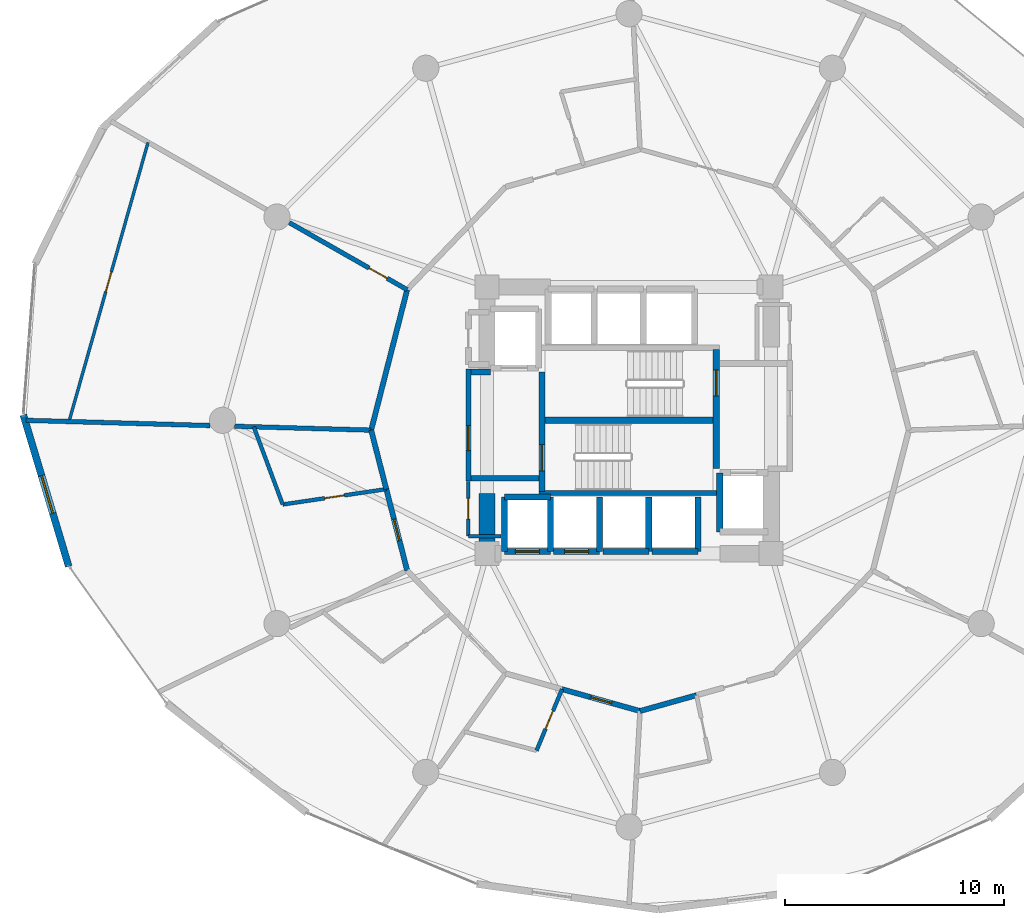
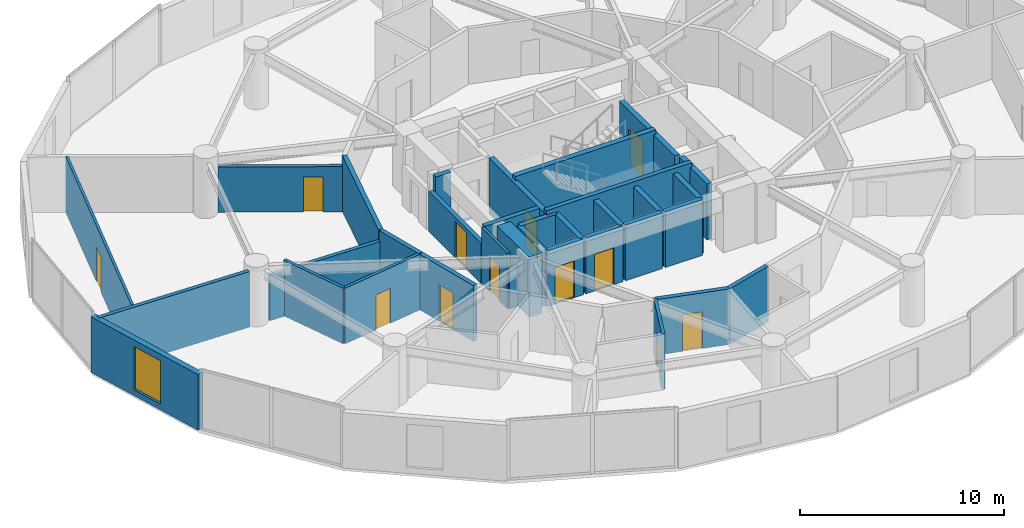
# One storey, part 19 of 25: 34 walls, 12 doors, 1 window, 13 openings.
"""IFC4 building model written with IfcOpenShell, lengths in metres."""

from ifc_helpers import new_model, si_unit, direction, frame, frame_2d, origin, place, context, subcontext, project, spatial, rectangle, extrude, material, layer, layer_set, type_object, element, fill, save


model = new_model("IFC4")

# Units and contexts
model_context = context("Model", 3, precision=1e-05, world=origin(), true_north=direction((0.0, 1.0)))
body_context = subcontext(model_context, "Body", "Model", "MODEL_VIEW")
ifc_project = project(units=[si_unit("LENGTHUNIT", "METRE"), si_unit("AREAUNIT", "SQUARE_METRE"), si_unit("VOLUMEUNIT", "CUBIC_METRE"), si_unit("PLANEANGLEUNIT", "RADIAN"), si_unit("MASSUNIT", "GRAM", prefix="KILO")], contexts=[model_context])

# Site, building, storey
site_placement = place(None, origin())
site = spatial("IfcSite", under=ifc_project, at=site_placement, CompositionType="ELEMENT")
building_placement = place(site_placement, origin())
building = spatial("IfcBuilding", under=site, at=building_placement, Name="Solvirekh Grand Hotel", CompositionType="ELEMENT")
storey_placement = place(building_placement, frame((0.0, 0.0, 60.800048828125)))
storey = spatial("IfcBuildingStorey", under=building, at=storey_placement, Name="L14", CompositionType="ELEMENT", Elevation=60.800048828125)

# Wall
ifc_material_1 = material(Name="Concrete C50/60", Category="concrete")
ifc_layer_1 = layer(ifc_material_1, 0.35009765625)
ifc_layer_set_1 = layer_set([ifc_layer_1], Name="Concrete C50/60")
wall_type_1 = type_object("IfcWallType", Name="CoreDivWall_RC350", PredefinedType="SOLIDWALL", material=ifc_layer_set_1)
wall_1_placement = place(storey_placement, frame((-4.1298828125, -3.324951171875, 0.0), z_axis=(0.0, 0.0, 1.0), x_axis=(1.0, 0.0, 0.0)))
element("IfcWall", 1, at=wall_1_placement, inside=storey, type_object=wall_type_1, Name="L14 core stair box wall ST-S", PredefinedType="SOLIDWALL", context=body_context, shape_type="SweptSolid", body=[
    extrude(rectangle(XDim=8.259765625, YDim=0.25, at=frame_2d((4.1298828125, 0.0))), origin(), (0.0, 0.0, 1.0), 3.599853515625),
])

# Wall, opening, door
ifc_material_2 = material(Name="Concrete C40/50", Category="concrete")
ifc_layer_2 = layer(ifc_material_2, 0.280029296875)
ifc_layer_set_2 = layer_set([ifc_layer_2], Name="Concrete C40/50")
wall_type_2 = type_object("IfcWallType", Name="CoreShaftWall_RC280", PredefinedType="SOLIDWALL", material=ifc_layer_set_2)
wall_2_placement = place(storey_placement, frame((-5.699951171875, -6.0, 0.0), z_axis=(0.0, 0.0, 1.0), x_axis=(1.0, 0.0, 0.0)))
wall_2 = element("IfcWall", 2, at=wall_2_placement, inside=storey, type_object=wall_type_2, Name="L14 LP-1 hoistway S wall", PredefinedType="SOLIDWALL", context=body_context, shape_type="SweptSolid", body=[
    extrude(rectangle(XDim=2.099853515625, YDim=0.280029296875, at=frame_2d((1.0498046875, 0.0))), origin(), (0.0, 0.0, 1.0), 3.33984375),
])
opening_1_placement = place(wall_2_placement, frame((0.5, 0.0, 0.0)))
opening_1 = element("IfcOpeningElement", 3, at=opening_1_placement, cuts=wall_2, Name="Opening LD01", PredefinedType="OPENING", context=body_context, shape_type="SweptSolid", body=[
    extrude(rectangle(XDim=1.10009765625, YDim=2.199951171875, at=frame_2d((0.550048828125, 1.10009765625))), frame((0.0, 0.14990234375, 0.0), z_axis=(0.0, -1.0, 0.0), x_axis=(1.0, 0.0, 0.0)), (0.0, 0.0, 1.0), 0.300048828125),
])
ifc_material_3 = material(Name="Fire-Rated Steel Door Assembly", Category="steel")
door_type_1 = type_object("IfcDoorType", Name="Door_LiftLanding_1100X2200", OperationType="SLIDING_TO_LEFT", PredefinedType="DOOR", material=ifc_material_3)
door_1_placement = place(opening_1_placement, origin())
door_1 = element("IfcDoor", 4, at=door_1_placement, inside=storey, type_object=door_type_1, Name="L14 LP-1 sliding lift landing door", OperationType="SLIDING_TO_LEFT", OverallHeight=2.199951171875, OverallWidth=1.10009765625, PredefinedType="DOOR", context=body_context, shape_type="SweptSolid", body=[
    extrude(rectangle(XDim=1.10009765625, YDim=2.199951171875, at=frame_2d((0.550048828125, 1.10009765625))), frame((0.0, 0.02490234375, 0.0), z_axis=(0.0, -1.0, 0.0), x_axis=(1.0, 0.0, 0.0)), (0.0, 0.0, 1.0), 0.050048828125),
])
fill(opening_1, door_1)

# Walls
wall_3_placement = place(storey_placement, frame((-3.60009765625, -3.5, 0.0), z_axis=(0.0, 0.0, 1.0), x_axis=(-1.0, 0.0, 0.0)))
element("IfcWall", 5, at=wall_3_placement, inside=storey, type_object=wall_type_2, Name="L14 LP-1 hoistway N wall", PredefinedType="SOLIDWALL", context=body_context, shape_type="SweptSolid", body=[
    extrude(rectangle(XDim=2.099853515625, YDim=0.280029296875, at=frame_2d((1.0498046875, 0.0))), origin(), (0.0, 0.0, 1.0), 3.33984375),
])
for number, where, z_axis, x_axis, name in (
    (6, (-5.699951171875, -3.5, 0.0), (0.0, 0.0, 1.0), (0.0, -1.0, 0.0), "L14 LP-1 hoistway W wall"),
    (7, (-3.60009765625, -6.0, 0.0), (0.0, 0.0, 1.0), (0.0, 1.0, 0.0), "L14 LP-1 hoistway E wall"),
):
    element("IfcWall", number, at=place(storey_placement, frame(where, z_axis=z_axis, x_axis=x_axis)), inside=storey, type_object=wall_type_2, Name=name, PredefinedType="SOLIDWALL", context=body_context, shape_type="SweptSolid", body=[
        extrude(rectangle(XDim=2.5, YDim=0.280029296875, at=frame_2d((1.25, 0.0))), origin(), (0.0, 0.0, 1.0), 3.33984375),
    ])

# Wall, opening, door
wall_4_placement = place(storey_placement, frame((-3.449951171875, -6.0, 0.0), z_axis=(0.0, 0.0, 1.0), x_axis=(1.0, 0.0, 0.0)))
wall_4 = element("IfcWall", 8, at=wall_4_placement, inside=storey, type_object=wall_type_2, Name="L14 LP-2 hoistway S wall", PredefinedType="SOLIDWALL", context=body_context, shape_type="SweptSolid", body=[
    extrude(rectangle(XDim=2.099853515625, YDim=0.280029296875, at=frame_2d((1.0498046875, 0.0))), origin(), (0.0, 0.0, 1.0), 3.33984375),
])
opening_2_placement = place(wall_4_placement, frame((0.5, 0.0, 0.0)))
opening_2 = element("IfcOpeningElement", 9, at=opening_2_placement, cuts=wall_4, Name="Opening LD01", PredefinedType="OPENING", context=body_context, shape_type="SweptSolid", body=[
    extrude(rectangle(XDim=1.10009765625, YDim=2.199951171875, at=frame_2d((0.550048828125, 1.10009765625))), frame((0.0, 0.14990234375, 0.0), z_axis=(0.0, -1.0, 0.0), x_axis=(1.0, 0.0, 0.0)), (0.0, 0.0, 1.0), 0.300048828125),
])
door_2_placement = place(opening_2_placement, origin())
door_2 = element("IfcDoor", 10, at=door_2_placement, inside=storey, type_object=door_type_1, Name="L14 LP-2 sliding lift landing door", OperationType="SLIDING_TO_LEFT", OverallHeight=2.199951171875, OverallWidth=1.10009765625, PredefinedType="DOOR", context=body_context, shape_type="SweptSolid", body=[
    extrude(rectangle(XDim=1.10009765625, YDim=2.199951171875, at=frame_2d((0.550048828125, 1.10009765625))), frame((0.0, 0.02490234375, 0.0), z_axis=(0.0, -1.0, 0.0), x_axis=(1.0, 0.0, 0.0)), (0.0, 0.0, 1.0), 0.050048828125),
])
fill(opening_2, door_2)

# Walls
wall_5_placement = place(storey_placement, frame((-1.35009765625, -6.0, 0.0), z_axis=(0.0, 0.0, 1.0), x_axis=(0.0, 1.0, 0.0)))
element("IfcWall", 11, at=wall_5_placement, inside=storey, type_object=wall_type_2, Name="L14 LP-2 hoistway E wall", PredefinedType="SOLIDWALL", context=body_context, shape_type="SweptSolid", body=[
    extrude(rectangle(XDim=2.5, YDim=0.280029296875, at=frame_2d((1.25, 0.0))), origin(), (0.0, 0.0, 1.0), 3.33984375),
])
wall_6_placement = place(storey_placement, frame((-1.199951171875, -6.0, 0.0), z_axis=(0.0, 0.0, 1.0), x_axis=(1.0, 0.0, 0.0)))
element("IfcWall", 12, at=wall_6_placement, inside=storey, type_object=wall_type_2, Name="L14 MP-1 hoistway S wall", PredefinedType="SOLIDWALL", context=body_context, shape_type="SweptSolid", body=[
    extrude(rectangle(XDim=2.099853515625, YDim=0.280029296875, at=frame_2d((1.0498046875, 0.0))), origin(), (0.0, 0.0, 1.0), 3.33984375),
])
wall_7_placement = place(storey_placement, frame((0.89990234375, -6.0, 0.0), z_axis=(0.0, 0.0, 1.0), x_axis=(0.0, 1.0, 0.0)))
element("IfcWall", 13, at=wall_7_placement, inside=storey, type_object=wall_type_2, Name="L14 MP-1 hoistway E wall", PredefinedType="SOLIDWALL", context=body_context, shape_type="SweptSolid", body=[
    extrude(rectangle(XDim=2.5, YDim=0.280029296875, at=frame_2d((1.25, 0.0))), origin(), (0.0, 0.0, 1.0), 3.33984375),
])
wall_8_placement = place(storey_placement, frame((1.050048828125, -6.0, 0.0), z_axis=(0.0, 0.0, 1.0), x_axis=(1.0, 0.0, 0.0)))
element("IfcWall", 14, at=wall_8_placement, inside=storey, type_object=wall_type_2, Name="L14 MP-2 hoistway S wall", PredefinedType="SOLIDWALL", context=body_context, shape_type="SweptSolid", body=[
    extrude(rectangle(XDim=2.099853515625, YDim=0.280029296875, at=frame_2d((1.0498046875, 0.0))), origin(), (0.0, 0.0, 1.0), 3.33984375),
])
wall_9_placement = place(storey_placement, frame((3.14990234375, -6.0, 0.0), z_axis=(0.0, 0.0, 1.0), x_axis=(0.0, 1.0, 0.0)))
element("IfcWall", 15, at=wall_9_placement, inside=storey, type_object=wall_type_2, Name="L14 MP-2 hoistway E wall", PredefinedType="SOLIDWALL", context=body_context, shape_type="SweptSolid", body=[
    extrude(rectangle(XDim=2.5, YDim=0.280029296875, at=frame_2d((1.25, 0.0))), origin(), (0.0, 0.0, 1.0), 3.33984375),
])
wall_10_placement = place(storey_placement, frame((4.14990234375, -2.39990234375, 0.0), z_axis=(0.0, 0.0, 1.0), x_axis=(0.0, -1.0, 0.0)))
element("IfcWall", 16, at=wall_10_placement, inside=storey, type_object=wall_type_2, Name="L14 FL-2 hoistway W wall", PredefinedType="SOLIDWALL", context=body_context, shape_type="SweptSolid", body=[
    extrude(rectangle(XDim=2.7001953125, YDim=0.280029296875, at=frame_2d((1.35009765625, 0.0))), origin(), (0.0, 0.0, 1.0), 3.33984375),
])

# Wall, opening, door
wall_11_placement = place(storey_placement, frame((-3.989990234375, -3.25, 0.0), z_axis=(0.0, 0.0, 1.0), x_axis=(0.0, 1.0, 0.0)))
wall_11 = element("IfcWall", 17, at=wall_11_placement, inside=storey, type_object=wall_type_2, Name="L14 west stair landing enclosure wall", PredefinedType="SOLIDWALL", context=body_context, shape_type="SweptSolid", body=[
    extrude(rectangle(XDim=5.4599609375, YDim=0.280029296875, at=frame_2d((2.72998046875, 0.0))), origin(), (0.0, 0.0, 1.0), 3.33984375),
])
opening_3_placement = place(wall_11_placement, frame((0.93701171875, 0.0, 0.0)))
opening_3 = element("IfcOpeningElement", 18, at=opening_3_placement, cuts=wall_11, Name="Opening D05", PredefinedType="OPENING", context=body_context, shape_type="SweptSolid", body=[
    extrude(rectangle(XDim=1.199951171875, YDim=2.199951171875, at=frame_2d((0.60009765625, 1.10009765625))), frame((0.0, 0.14990234375, 0.0), z_axis=(0.0, -1.0, 0.0), x_axis=(1.0, 0.0, 0.0)), (0.0, 0.0, 1.0), 0.300048828125),
])
door_type_2 = type_object("IfcDoorType", Name="Door_StairCore_1200X2200", OperationType="NOTDEFINED", PredefinedType="DOOR", material=ifc_material_3)
door_3_placement = place(opening_3_placement, origin())
door_3 = element("IfcDoor", 19, at=door_3_placement, inside=storey, type_object=door_type_2, Name="L14 exit stair ST-1 fire door", OperationType="SINGLE_SWING_RIGHT", OverallHeight=2.199951171875, OverallWidth=1.199951171875, PredefinedType="DOOR", context=body_context, shape_type="SweptSolid", body=[
    extrude(rectangle(XDim=1.199951171875, YDim=2.199951171875, at=frame_2d((0.60009765625, 1.10009765625))), frame((0.0, 0.02490234375, 0.0), z_axis=(0.0, -1.0, 0.0), x_axis=(1.0, 0.0, 0.0)), (0.0, 0.0, 1.0), 0.050048828125),
])
fill(opening_3, door_3)

wall_12_placement = place(storey_placement, frame((3.989990234375, -2.2099609375, 0.0), z_axis=(0.0, 0.0, 1.0), x_axis=(0.0, 1.0, 0.0)))
wall_12 = element("IfcWall", 20, at=wall_12_placement, inside=storey, type_object=wall_type_2, Name="L14 east stair landing enclosure wall", PredefinedType="SOLIDWALL", context=body_context, shape_type="SweptSolid", body=[
    extrude(rectangle(XDim=5.4599609375, YDim=0.280029296875, at=frame_2d((2.72998046875, 0.0))), origin(), (0.0, 0.0, 1.0), 3.33984375),
])
opening_4_placement = place(wall_12_placement, frame((3.322998046875, 0.0, 0.0)))
opening_4 = element("IfcOpeningElement", 21, at=opening_4_placement, cuts=wall_12, Name="Opening D05", PredefinedType="OPENING", context=body_context, shape_type="SweptSolid", body=[
    extrude(rectangle(XDim=1.199951171875, YDim=2.199951171875, at=frame_2d((0.60009765625, 1.10009765625))), frame((0.0, 0.14990234375, 0.0), z_axis=(0.0, -1.0, 0.0), x_axis=(1.0, 0.0, 0.0)), (0.0, 0.0, 1.0), 0.300048828125),
])
door_4_placement = place(opening_4_placement, origin())
door_4 = element("IfcDoor", 22, at=door_4_placement, inside=storey, type_object=door_type_2, Name="L14 exit stair ST-2 fire door", OperationType="SINGLE_SWING_LEFT", OverallHeight=2.199951171875, OverallWidth=1.199951171875, PredefinedType="DOOR", context=body_context, shape_type="SweptSolid", body=[
    extrude(rectangle(XDim=1.199951171875, YDim=2.199951171875, at=frame_2d((0.60009765625, 1.10009765625))), frame((0.0, 0.02490234375, 0.0), z_axis=(0.0, -1.0, 0.0), x_axis=(1.0, 0.0, 0.0)), (0.0, 0.0, 1.0), 0.050048828125),
])
fill(opening_4, door_4)

# Walls
ifc_material_4 = material(Name="Concrete C60/75", Category="concrete")
ifc_layer_3 = layer(ifc_material_4, 0.75)
ifc_layer_set_3 = layer_set([ifc_layer_3], Name="Concrete C60/75")
wall_type_3 = type_object("IfcWallType", Name="CoreWall_RC750", PredefinedType="SHEAR", material=ifc_layer_set_3)
wall_13_placement = place(storey_placement, frame((-3.989990234375, 0.0, 0.0), z_axis=(0.0, 0.0, 1.0), x_axis=(1.0, 0.0, 0.0)))
element("IfcWall", 23, at=wall_13_placement, inside=storey, type_object=wall_type_3, Name="L14 central stair-spine shear wall", PredefinedType="SHEAR", context=body_context, shape_type="SweptSolid", body=[
    extrude(rectangle(XDim=7.97998046875, YDim=0.300048828125, at=frame_2d((3.989990234375, 0.0))), origin(), (0.0, 0.0, 1.0), 3.599853515625),
])
wall_14_placement = place(storey_placement, frame((-6.5, -6.47509765625, 0.0), z_axis=(0.0, 0.0, 1.0), x_axis=(0.0, 1.0, 0.0)))
element("IfcWall", 24, at=wall_14_placement, inside=storey, type_object=wall_type_3, Name="L14 core corner shear wall WS-W", PredefinedType="SHEAR", context=body_context, shape_type="SweptSolid", body=[
    extrude(rectangle(XDim=3.125, YDim=0.75, at=frame_2d((1.5625, 0.0))), origin(), (0.0, 0.0, 1.0), 3.599853515625),
])

# Wall, opening, window
ifc_material_5 = material(Name="Precast concrete C45/55", Category="concrete")
ifc_layer_4 = layer(ifc_material_5, 0.320068359375)
ifc_layer_set_4 = layer_set([ifc_layer_4], Name="Precast concrete C45/55")
wall_type_4 = type_object("IfcWallType", Name="ExtLobbyWall_RC320", PredefinedType="SOLIDWALL", material=ifc_layer_set_4)
wall_15_placement = place(storey_placement, frame((-25.637939453125, -6.68310546875, 0.0), z_axis=(0.0, 0.0, 1.0), x_axis=(-0.286740873851, 0.958008179121, 0.0)))
wall_15 = element("IfcWall", 25, at=wall_15_placement, inside=storey, type_object=wall_type_4, Name="L14 exterior structural wall chord 12", PredefinedType="SOLIDWALL", context=body_context, shape_type="SweptSolid", body=[
    extrude(rectangle(XDim=7.23291015625, YDim=0.320068359375, at=frame_2d((3.616455078125, 0.0))), origin(), (0.0, 0.0, 1.0), 3.33984375),
])
opening_5_placement = place(wall_15_placement, frame((2.531982421875, 0.0, 0.35009765625)))
opening_5 = element("IfcOpeningElement", 26, at=opening_5_placement, cuts=wall_15, Name="Opening W02", PredefinedType="OPENING", context=body_context, shape_type="SweptSolid", body=[
    extrude(rectangle(XDim=1.800048828125, YDim=2.60009765625, at=frame_2d((0.89990234375, 1.300048828125))), frame((0.0, 0.169921875, 0.0), z_axis=(0.0, -1.0, 0.0), x_axis=(1.0, 0.0, 0.0)), (0.0, 0.0, 1.0), 0.340087890625),
])
ifc_material_6 = material(Name="Low-E Tinted Bronze Laminated Glass", Category="aluminium")
window_type = type_object("IfcWindowType", Name="Win_LobbyExt_1800X2600", PartitioningType="SINGLE_PANEL", PredefinedType="WINDOW", material=ifc_material_6)
window_placement = place(opening_5_placement, origin())
window = element("IfcWindow", 27, at=window_placement, inside=storey, type_object=window_type, Name="L14 panoramic bronze-framed window 12", OverallHeight=2.60009765625, OverallWidth=1.800048828125, PartitioningType="SINGLE_PANEL", PredefinedType="WINDOW", context=body_context, shape_type="SweptSolid", body=[
    extrude(rectangle(XDim=1.800048828125, YDim=2.60009765625, at=frame_2d((0.89990234375, 1.300048828125))), frame((0.0, 0.030029296875, 0.0), z_axis=(0.0, -1.0, 0.0), x_axis=(1.0, 0.0, 0.0)), (0.0, 0.0, 1.0), 0.06005859375),
])
fill(opening_5, window)

# Wall
ifc_material_7 = material(Name="Acoustic Gypsum Partition Assembly")
ifc_layer_5 = layer(ifc_material_7, 0.1650390625)
ifc_layer_set_5 = layer_set([ifc_layer_5], Name="Acoustic Gypsum Partition Assembly")
wall_type_5 = type_object("IfcWallType", Name="Part_BOH_165", PredefinedType="PARTITIONING", material=ifc_layer_set_5)
wall_16_placement = place(storey_placement, frame((-7.35009765625, -5.300048828125, 0.0), z_axis=(0.0, 0.0, 1.0), x_axis=(1.0, 0.0, 0.0)))
element("IfcWall", 28, at=wall_16_placement, inside=storey, type_object=wall_type_5, Name="L14 L14 Core Linen Store wall 1", PredefinedType="PARTITIONING", context=body_context, shape_type="SweptSolid", body=[
    extrude(rectangle(XDim=1.5, YDim=0.1650390625, at=frame_2d((0.75, 0.0))), origin(), (0.0, 0.0, 1.0), 2.425048828125),
])

# Wall, opening, door
wall_17_placement = place(storey_placement, frame((-7.35009765625, -2.800048828125, 0.0), z_axis=(0.0, 0.0, 1.0), x_axis=(0.0, -1.0, 0.0)))
wall_17 = element("IfcWall", 29, at=wall_17_placement, inside=storey, type_object=wall_type_5, Name="L14 L14 Core Linen Store wall 4", PredefinedType="PARTITIONING", context=body_context, shape_type="SweptSolid", body=[
    extrude(rectangle(XDim=2.5, YDim=0.1650390625, at=frame_2d((1.25, 0.0))), origin(), (0.0, 0.0, 1.0), 3.33984375),
])
opening_6_placement = place(wall_17_placement, frame((0.77490234375, 0.0, 0.0)))
opening_6 = element("IfcOpeningElement", 30, at=opening_6_placement, cuts=wall_17, Name="Opening D10", PredefinedType="OPENING", context=body_context, shape_type="SweptSolid", body=[
    extrude(rectangle(XDim=0.949951171875, YDim=2.10009765625, at=frame_2d((0.47509765625, 1.050048828125))), frame((0.0, 0.092529296875, 0.0), z_axis=(0.0, -1.0, 0.0), x_axis=(1.0, 0.0, 0.0)), (0.0, 0.0, 1.0), 0.18505859375),
])
ifc_material_8 = material(Name="Anodized Bronze Aluminium 6063-T6", Category="aluminium")
door_type_3 = type_object("IfcDoorType", Name="Door_RoomInt_950X2100", OperationType="NOTDEFINED", PredefinedType="DOOR", material=ifc_material_8)
door_5_placement = place(opening_6_placement, origin())
door_5 = element("IfcDoor", 31, at=door_5_placement, inside=storey, type_object=door_type_3, Name="L14 L14 Core Linen Store door", OperationType="SINGLE_SWING_LEFT", OverallHeight=2.10009765625, OverallWidth=0.949951171875, PredefinedType="DOOR", context=body_context, shape_type="SweptSolid", body=[
    extrude(rectangle(XDim=0.949951171875, YDim=2.10009765625, at=frame_2d((0.47509765625, 1.050048828125))), frame((0.0, 0.02490234375, 0.0), z_axis=(0.0, -1.0, 0.0), x_axis=(1.0, 0.0, 0.0)), (0.0, 0.0, 1.0), 0.050048828125),
])
fill(opening_6, door_5)

ifc_layer_6 = layer(ifc_material_7, 0.239990234375)
ifc_layer_set_6 = layer_set([ifc_layer_6], Name="Acoustic Gypsum Partition Assembly")
wall_type_6 = type_object("IfcWallType", Name="Part_Corridor_240", PredefinedType="PARTITIONING", material=ifc_layer_set_6)
wall_18_placement = place(storey_placement, frame((-7.35009765625, -2.780029296875, 0.0), z_axis=(0.0, 0.0, 1.0), x_axis=(0.0, 1.0, 0.0)))
wall_18 = element("IfcWall", 32, at=wall_18_placement, inside=storey, type_object=wall_type_6, Name="L14 west firefighting lobby smoke screen wall", PredefinedType="PARTITIONING", context=body_context, shape_type="SweptSolid", body=[
    extrude(rectangle(XDim=5.1201171875, YDim=0.239990234375, at=frame_2d((2.56005859375, 0.0))), origin(), (0.0, 0.0, 1.0), 2.425048828125),
])
opening_7_placement = place(wall_18_placement, frame((1.388916015625, 0.0, 0.0)))
opening_7 = element("IfcOpeningElement", 33, at=opening_7_placement, cuts=wall_18, Name="Opening D06", PredefinedType="OPENING", context=body_context, shape_type="SweptSolid", body=[
    extrude(rectangle(XDim=1.14990234375, YDim=2.199951171875, at=frame_2d((0.574951171875, 1.10009765625))), frame((0.0, 0.1298828125, 0.0), z_axis=(0.0, -1.0, 0.0), x_axis=(1.0, 0.0, 0.0)), (0.0, 0.0, 1.0), 0.260009765625),
])
door_type_4 = type_object("IfcDoorType", Name="Door_FFLobby_1150X2200", OperationType="NOTDEFINED", PredefinedType="DOOR", material=ifc_material_3)
door_6_placement = place(opening_7_placement, origin())
door_6 = element("IfcDoor", 34, at=door_6_placement, inside=storey, type_object=door_type_4, Name="L14 west firefighting lobby smoke door", OperationType="SINGLE_SWING_RIGHT", OverallHeight=2.199951171875, OverallWidth=1.14990234375, PredefinedType="DOOR", context=body_context, shape_type="SweptSolid", body=[
    extrude(rectangle(XDim=1.14990234375, YDim=2.199951171875, at=frame_2d((0.574951171875, 1.10009765625))), frame((0.0, 0.02490234375, 0.0), z_axis=(0.0, -1.0, 0.0), x_axis=(1.0, 0.0, 0.0)), (0.0, 0.0, 1.0), 0.050048828125),
])
fill(opening_7, door_6)

# Walls
wall_19_placement = place(storey_placement, frame((-10.152099609375, 5.97509765625, 0.0), z_axis=(0.0, 0.0, 1.0), x_axis=(-0.248446193127, -0.968645698447, 0.0)))
element("IfcWall", 35, at=wall_19_placement, inside=storey, type_object=wall_type_6, Name="L14 Diplomatic Suite 1601 Suite Foyer corridor enclosure wall", PredefinedType="PARTITIONING", context=body_context, shape_type="SweptSolid", body=[
    extrude(rectangle(XDim=6.633056640625, YDim=0.239990234375, at=frame_2d((3.31640625, 0.0))), origin(), (0.0, 0.0, 1.0), 3.33984375),
])
wall_20_placement = place(storey_placement, frame((-11.800048828125, -0.449951171875, 0.0), z_axis=(0.0, 0.0, 1.0), x_axis=(0.248491333658, -0.968634119313, 0.0)))
element("IfcWall", 36, at=wall_20_placement, inside=storey, type_object=wall_type_6, Name="L14 En-suite Bathroom 1602 corridor backing wall", PredefinedType="PARTITIONING", context=body_context, shape_type="SweptSolid", body=[
    extrude(rectangle(XDim=2.785400390625, YDim=0.239990234375, at=frame_2d((1.392578125, 0.0))), origin(), (0.0, 0.0, 1.0), 3.33984375),
])

# Wall, opening, door
wall_21_placement = place(storey_placement, frame((-11.10791015625, -3.14794921875, 0.0), z_axis=(0.0, 0.0, 1.0), x_axis=(0.248413515056, -0.9686540794, 0.0)))
wall_21 = element("IfcWall", 37, at=wall_21_placement, inside=storey, type_object=wall_type_6, Name="L14 Deluxe Guestroom 1602 entrance wall", PredefinedType="PARTITIONING", context=body_context, shape_type="SweptSolid", body=[
    extrude(rectangle(XDim=3.84765625, YDim=0.239990234375, at=frame_2d((1.923828125, 0.0))), origin(), (0.0, 0.0, 1.0), 3.33984375),
])
opening_8_placement = place(wall_21_placement, frame((1.424072265625, 0.0, 0.0)))
opening_8 = element("IfcOpeningElement", 38, at=opening_8_placement, cuts=wall_21, Name="Opening D07", PredefinedType="OPENING", context=body_context, shape_type="SweptSolid", body=[
    extrude(rectangle(XDim=1.0, YDim=2.199951171875, at=frame_2d((0.5, 1.10009765625))), frame((0.0, 0.1298828125, 0.0), z_axis=(0.0, -1.0, 0.0), x_axis=(1.0, 0.0, 0.0)), (0.0, 0.0, 1.0), 0.260009765625),
])
door_type_5 = type_object("IfcDoorType", Name="Door_GuestEntry_1000X2200", OperationType="NOTDEFINED", PredefinedType="DOOR", material=ifc_material_3)
door_7_placement = place(opening_8_placement, origin())
door_7 = element("IfcDoor", 39, at=door_7_placement, inside=storey, type_object=door_type_5, Name="L14 Deluxe Guestroom 1602 entrance door", OperationType="SINGLE_SWING_RIGHT", OverallHeight=2.199951171875, OverallWidth=1.0, PredefinedType="DOOR", context=body_context, shape_type="SweptSolid", body=[
    extrude(rectangle(XDim=1.0, YDim=2.199951171875, at=frame_2d((0.5, 1.10009765625))), frame((0.0, 0.02490234375, 0.0), z_axis=(0.0, -1.0, 0.0), x_axis=(1.0, 0.0, 0.0)), (0.0, 0.0, 1.0), 0.050048828125),
])
fill(opening_8, door_7)

wall_22_placement = place(storey_placement, frame((-3.06689453125, -12.301025390625, 0.0), z_axis=(0.0, 0.0, 1.0), x_axis=(0.962943481199, -0.269703266603, 0.0)))
wall_22 = element("IfcWall", 40, at=wall_22_placement, inside=storey, type_object=wall_type_6, Name="L14 Deluxe Guestroom 1604 entrance wall", PredefinedType="PARTITIONING", context=body_context, shape_type="SweptSolid", body=[
    extrude(rectangle(XDim=3.7041015625, YDim=0.239990234375, at=frame_2d((1.85205078125, 0.0))), origin(), (0.0, 0.0, 1.0), 3.33984375),
])
opening_9_placement = place(wall_22_placement, frame((1.35205078125, 0.0, 0.0)))
opening_9 = element("IfcOpeningElement", 41, at=opening_9_placement, cuts=wall_22, Name="Opening D07", PredefinedType="OPENING", context=body_context, shape_type="SweptSolid", body=[
    extrude(rectangle(XDim=1.0, YDim=2.199951171875, at=frame_2d((0.5, 1.10009765625))), frame((0.0, 0.1298828125, 0.0), z_axis=(0.0, -1.0, 0.0), x_axis=(1.0, 0.0, 0.0)), (0.0, 0.0, 1.0), 0.260009765625),
])
door_8_placement = place(opening_9_placement, origin())
door_8 = element("IfcDoor", 42, at=door_8_placement, inside=storey, type_object=door_type_5, Name="L14 Deluxe Guestroom 1604 entrance door", OperationType="SINGLE_SWING_RIGHT", OverallHeight=2.199951171875, OverallWidth=1.0, PredefinedType="DOOR", context=body_context, shape_type="SweptSolid", body=[
    extrude(rectangle(XDim=1.0, YDim=2.199951171875, at=frame_2d((0.5, 1.10009765625))), frame((0.0, 0.02490234375, 0.0), z_axis=(0.0, -1.0, 0.0), x_axis=(1.0, 0.0, 0.0)), (0.0, 0.0, 1.0), 0.050048828125),
])
fill(opening_9, door_8)

# Walls
wall_23_placement = place(storey_placement, frame((0.5, -13.300048828125, 0.0), z_axis=(0.0, 0.0, 1.0), x_axis=(0.96297347206, 0.269596164862, 0.0)))
element("IfcWall", 43, at=wall_23_placement, inside=storey, type_object=wall_type_6, Name="L14 En-suite Bathroom 1605 corridor backing wall", PredefinedType="PARTITIONING", context=body_context, shape_type="SweptSolid", body=[
    extrude(rectangle(XDim=2.682373046875, YDim=0.239990234375, at=frame_2d((1.34130859375, 0.0))), origin(), (0.0, 0.0, 1.0), 3.33984375),
])
ifc_layer_7 = layer(ifc_material_7, 0.260009765625)
ifc_layer_set_7 = layer_set([ifc_layer_7], Name="Acoustic Gypsum Partition Assembly")
wall_type_7 = type_object("IfcWallType", Name="Part_LobbyFF_260", PredefinedType="PARTITIONING", material=ifc_layer_set_7)
wall_24_placement = place(storey_placement, frame((-7.22509765625, -2.64990234375, 0.0), z_axis=(0.0, 0.0, 1.0), x_axis=(1.0, 0.0, 0.0)))
element("IfcWall", 44, at=wall_24_placement, inside=storey, type_object=wall_type_7, Name="L14 west firefighting lobby south partition", PredefinedType="PARTITIONING", context=body_context, shape_type="SweptSolid", body=[
    extrude(rectangle(XDim=3.09521484375, YDim=0.260009765625, at=frame_2d((1.547607421875, 0.0))), origin(), (0.0, 0.0, 1.0), 3.33984375),
])
wall_25_placement = place(storey_placement, frame((-7.22509765625, 2.2099609375, 0.0), z_axis=(0.0, 0.0, 1.0), x_axis=(1.0, 0.0, 0.0)))
element("IfcWall", 45, at=wall_25_placement, inside=storey, type_object=wall_type_7, Name="L14 west firefighting lobby NW cheek", PredefinedType="PARTITIONING", context=body_context, shape_type="SweptSolid", body=[
    extrude(rectangle(XDim=0.875, YDim=0.260009765625, at=frame_2d((0.4375, 0.0))), origin(), (0.0, 0.0, 1.0), 3.33984375),
])

# Wall, opening, door
ifc_layer_8 = layer(ifc_material_7, 0.135009765625)
ifc_layer_set_8 = layer_set([ifc_layer_8], Name="Acoustic Gypsum Partition Assembly")
wall_type_8 = type_object("IfcWallType", Name="Part_RoomInt_135", PredefinedType="PARTITIONING", material=ifc_layer_set_8)
wall_26_placement = place(storey_placement, frame((-22.006103515625, 12.719970703125, 0.0), z_axis=(0.0, 0.0, 1.0), x_axis=(-0.272401157448, -0.962183771127, 0.0)))
wall_26 = element("IfcWall", 46, at=wall_26_placement, inside=storey, type_object=wall_type_8, Name="L14 Diplomatic Suite 1601 Suite Foyer bedroom screen wall", PredefinedType="PARTITIONING", context=body_context, shape_type="SweptSolid", body=[
    extrude(rectangle(XDim=13.278076171875, YDim=0.135009765625, at=frame_2d((6.63916015625, 0.0))), origin(), (0.0, 0.0, 1.0), 3.33984375),
])
opening_10_placement = place(wall_26_placement, frame((6.1640625, 0.0, 0.0)))
opening_10 = element("IfcOpeningElement", 47, at=opening_10_placement, cuts=wall_26, Name="Opening D10", PredefinedType="OPENING", context=body_context, shape_type="SweptSolid", body=[
    extrude(rectangle(XDim=0.949951171875, YDim=2.10009765625, at=frame_2d((0.47509765625, 1.050048828125))), frame((0.0, 0.07763671875, 0.0), z_axis=(0.0, -1.0, 0.0), x_axis=(1.0, 0.0, 0.0)), (0.0, 0.0, 1.0), 0.155029296875),
])
door_9_placement = place(opening_10_placement, origin())
door_9 = element("IfcDoor", 48, at=door_9_placement, inside=storey, type_object=door_type_3, Name="L14 Diplomatic Suite 1601 Suite Foyer master bedroom door", OperationType="SINGLE_SWING_RIGHT", OverallHeight=2.10009765625, OverallWidth=0.949951171875, PredefinedType="DOOR", context=body_context, shape_type="SweptSolid", body=[
    extrude(rectangle(XDim=0.949951171875, YDim=2.10009765625, at=frame_2d((0.47509765625, 1.050048828125))), frame((0.0, 0.02490234375, 0.0), z_axis=(0.0, -1.0, 0.0), x_axis=(1.0, 0.0, 0.0)), (0.0, 0.0, 1.0), 0.050048828125),
])
fill(opening_10, door_9)

ifc_layer_9 = layer(ifc_material_7, 0.2099609375)
ifc_layer_set_9 = layer_set([ifc_layer_9], Name="Acoustic Gypsum Partition Assembly")
wall_type_9 = type_object("IfcWallType", Name="Part_SuiteDemise_210", PredefinedType="PARTITIONING", material=ifc_layer_set_9)
wall_27_placement = place(storey_placement, frame((-10.152099609375, 5.97509765625, 0.0), z_axis=(0.0, 0.0, 1.0), x_axis=(-0.869157123992, 0.494536038944, 0.0)))
wall_27 = element("IfcWall", 49, at=wall_27_placement, inside=storey, type_object=wall_type_9, Name="L14 suite radial wall 6 (A)", PredefinedType="PARTITIONING", context=body_context, shape_type="SweptSolid", body=[
    extrude(rectangle(XDim=6.20361328125, YDim=0.2099609375, at=frame_2d((3.101806640625, 0.0))), origin(), (0.0, 0.0, 1.0), 2.708984375),
])
opening_11_placement = place(wall_27_placement, frame((1.051025390625, 0.0, 0.0)))
opening_11 = element("IfcOpeningElement", 50, at=opening_11_placement, cuts=wall_27, Name="Opening D10", PredefinedType="OPENING", context=body_context, shape_type="SweptSolid", body=[
    extrude(rectangle(XDim=0.949951171875, YDim=2.10009765625, at=frame_2d((0.47509765625, 1.050048828125))), frame((0.0, 0.114990234375, 0.0), z_axis=(0.0, -1.0, 0.0), x_axis=(1.0, 0.0, 0.0)), (0.0, 0.0, 1.0), 0.22998046875),
])
door_10_placement = place(opening_11_placement, origin())
door_10 = element("IfcDoor", 51, at=door_10_placement, inside=storey, type_object=door_type_3, Name="L14 Diplomatic Suite 1601 Suite Foyer suite connecting door", OperationType="SINGLE_SWING_LEFT", OverallHeight=2.10009765625, OverallWidth=0.949951171875, PredefinedType="DOOR", context=body_context, shape_type="SweptSolid", body=[
    extrude(rectangle(XDim=0.949951171875, YDim=2.10009765625, at=frame_2d((0.47509765625, 1.050048828125))), frame((0.0, 0.02490234375, 0.0), z_axis=(0.0, -1.0, 0.0), x_axis=(1.0, 0.0, 0.0)), (0.0, 0.0, 1.0), 0.050048828125),
])
fill(opening_11, door_10)

# Walls
wall_28_placement = place(storey_placement, frame((-11.800048828125, -0.449951171875, 0.0), z_axis=(0.0, 0.0, 1.0), x_axis=(-0.999593870063, 0.02849727939, 0.0)))
element("IfcWall", 52, at=wall_28_placement, inside=storey, type_object=wall_type_9, Name="L14 suite radial wall 7 (A)", PredefinedType="PARTITIONING", context=body_context, shape_type="SweptSolid", body=[
    extrude(rectangle(XDim=6.245361328125, YDim=0.2099609375, at=frame_2d((3.12255859375, 0.0))), origin(), (0.0, 0.0, 1.0), 2.708984375),
])
wall_29_placement = place(storey_placement, frame((-19.172119140625, -0.239990234375, 0.0), z_axis=(0.0, 0.0, 1.0), x_axis=(-0.999594610371, 0.028471299896, 0.0)))
element("IfcWall", 53, at=wall_29_placement, inside=storey, type_object=wall_type_9, Name="L14 suite radial wall 7 (B)", PredefinedType="PARTITIONING", context=body_context, shape_type="SweptSolid", body=[
    extrude(rectangle(XDim=8.42919921875, YDim=0.2099609375, at=frame_2d((4.214599609375, 0.0))), origin(), (0.0, 0.0, 1.0), 3.33984375),
])
ifc_layer_10 = layer(ifc_material_7, 0.175048828125)
ifc_layer_set_10 = layer_set([ifc_layer_10], Name="Acoustic Gypsum Partition Assembly")
wall_type_10 = type_object("IfcWallType", Name="Plumb_Ensuite_175", PredefinedType="PLUMBINGWALL", material=ifc_layer_set_10)
wall_30_placement = place(storey_placement, frame((-17.1708984375, -0.297119140625, 0.0), z_axis=(0.0, 0.0, 1.0), x_axis=(0.349550044584, -0.936917694534, 0.0)))
element("IfcWall", 54, at=wall_30_placement, inside=storey, type_object=wall_type_10, Name="L14 En-suite Bathroom 1602 outer plumbing wall", PredefinedType="PLUMBINGWALL", context=body_context, shape_type="SweptSolid", body=[
    extrude(rectangle(XDim=3.793212890625, YDim=0.175048828125, at=frame_2d((1.896484375, 0.0))), origin(), (0.0, 0.0, 1.0), 3.33984375),
])

# Wall, opening, door
wall_31_placement = place(storey_placement, frame((-11.10791015625, -3.14794921875, 0.0), z_axis=(0.0, 0.0, 1.0), x_axis=(-0.989162914361, -0.146822099333, 0.0)))
wall_31 = element("IfcWall", 55, at=wall_31_placement, inside=storey, type_object=wall_type_10, Name="L14 En-suite Bathroom 1602 entry plumbing wall", PredefinedType="PLUMBINGWALL", context=body_context, shape_type="SweptSolid", body=[
    extrude(rectangle(XDim=4.7890625, YDim=0.175048828125, at=frame_2d((2.39453125, 0.0))), origin(), (0.0, 0.0, 1.0), 3.33984375),
])
opening_12_placement = place(wall_31_placement, frame((1.944091796875, 0.0, 0.0)))
opening_12 = element("IfcOpeningElement", 56, at=opening_12_placement, cuts=wall_31, Name="Opening D09", PredefinedType="OPENING", context=body_context, shape_type="SweptSolid", body=[
    extrude(rectangle(XDim=0.89990234375, YDim=2.10009765625, at=frame_2d((0.449951171875, 1.050048828125))), frame((0.0, 0.09765625, 0.0), z_axis=(0.0, -1.0, 0.0), x_axis=(1.0, 0.0, 0.0)), (0.0, 0.0, 1.0), 0.195068359375),
])
door_type_6 = type_object("IfcDoorType", Name="Door_Ensuite_900X2100", OperationType="NOTDEFINED", PredefinedType="DOOR", material=ifc_material_8)
door_11_placement = place(opening_12_placement, origin())
door_11 = element("IfcDoor", 57, at=door_11_placement, inside=storey, type_object=door_type_6, Name="L14 En-suite Bathroom 1602 door", OperationType="SINGLE_SWING_LEFT", OverallHeight=2.10009765625, OverallWidth=0.89990234375, PredefinedType="DOOR", context=body_context, shape_type="SweptSolid", body=[
    extrude(rectangle(XDim=0.89990234375, YDim=2.10009765625, at=frame_2d((0.449951171875, 1.050048828125))), frame((0.0, 0.02490234375, 0.0), z_axis=(0.0, -1.0, 0.0), x_axis=(1.0, 0.0, 0.0)), (0.0, 0.0, 1.0), 0.050048828125),
])
fill(opening_12, door_11)

wall_32_placement = place(storey_placement, frame((-3.06689453125, -12.301025390625, 0.0), z_axis=(0.0, 0.0, 1.0), x_axis=(-0.383514663352, -0.923534787105, 0.0)))
wall_32 = element("IfcWall", 58, at=wall_32_placement, inside=storey, type_object=wall_type_10, Name="L14 En-suite Bathroom 1604 entry plumbing wall", PredefinedType="PLUMBINGWALL", context=body_context, shape_type="SweptSolid", body=[
    extrude(rectangle(XDim=3.040283203125, YDim=0.175048828125, at=frame_2d((1.52001953125, 0.0))), origin(), (0.0, 0.0, 1.0), 3.33984375),
])
opening_13_placement = place(wall_32_placement, frame((1.070068359375, 0.0, 0.0)))
opening_13 = element("IfcOpeningElement", 59, at=opening_13_placement, cuts=wall_32, Name="Opening D09", PredefinedType="OPENING", context=body_context, shape_type="SweptSolid", body=[
    extrude(rectangle(XDim=0.89990234375, YDim=2.10009765625, at=frame_2d((0.449951171875, 1.050048828125))), frame((0.0, 0.09765625, 0.0), z_axis=(0.0, -1.0, 0.0), x_axis=(1.0, 0.0, 0.0)), (0.0, 0.0, 1.0), 0.195068359375),
])
door_12_placement = place(opening_13_placement, origin())
door_12 = element("IfcDoor", 60, at=door_12_placement, inside=storey, type_object=door_type_6, Name="L14 En-suite Bathroom 1604 door", OperationType="SINGLE_SWING_LEFT", OverallHeight=2.10009765625, OverallWidth=0.89990234375, PredefinedType="DOOR", context=body_context, shape_type="SweptSolid", body=[
    extrude(rectangle(XDim=0.89990234375, YDim=2.10009765625, at=frame_2d((0.449951171875, 1.050048828125))), frame((0.0, 0.02490234375, 0.0), z_axis=(0.0, -1.0, 0.0), x_axis=(1.0, 0.0, 0.0)), (0.0, 0.0, 1.0), 0.050048828125),
])
fill(opening_13, door_12)

save(model, "model.ifc")
